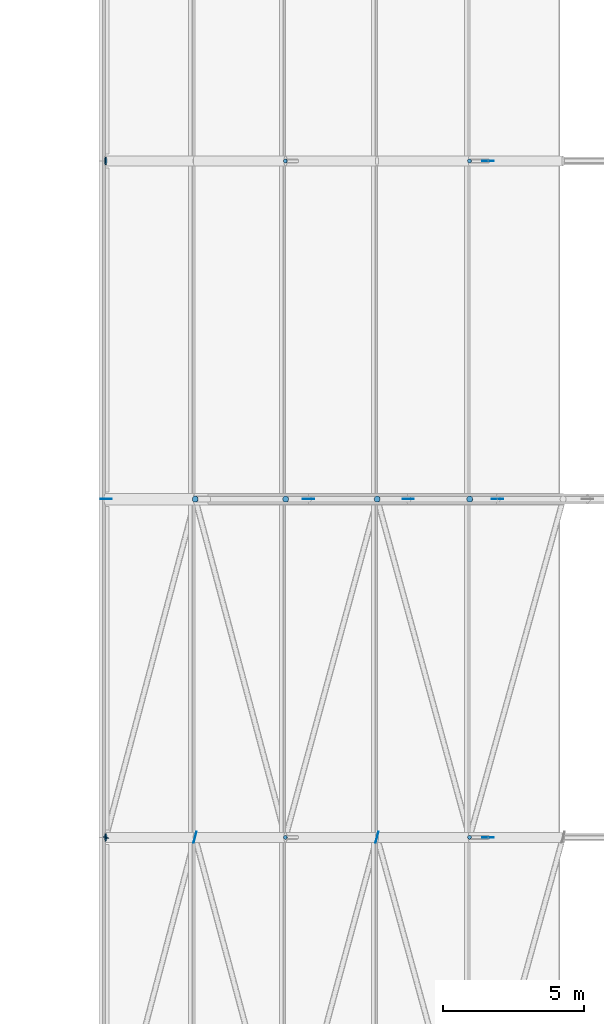
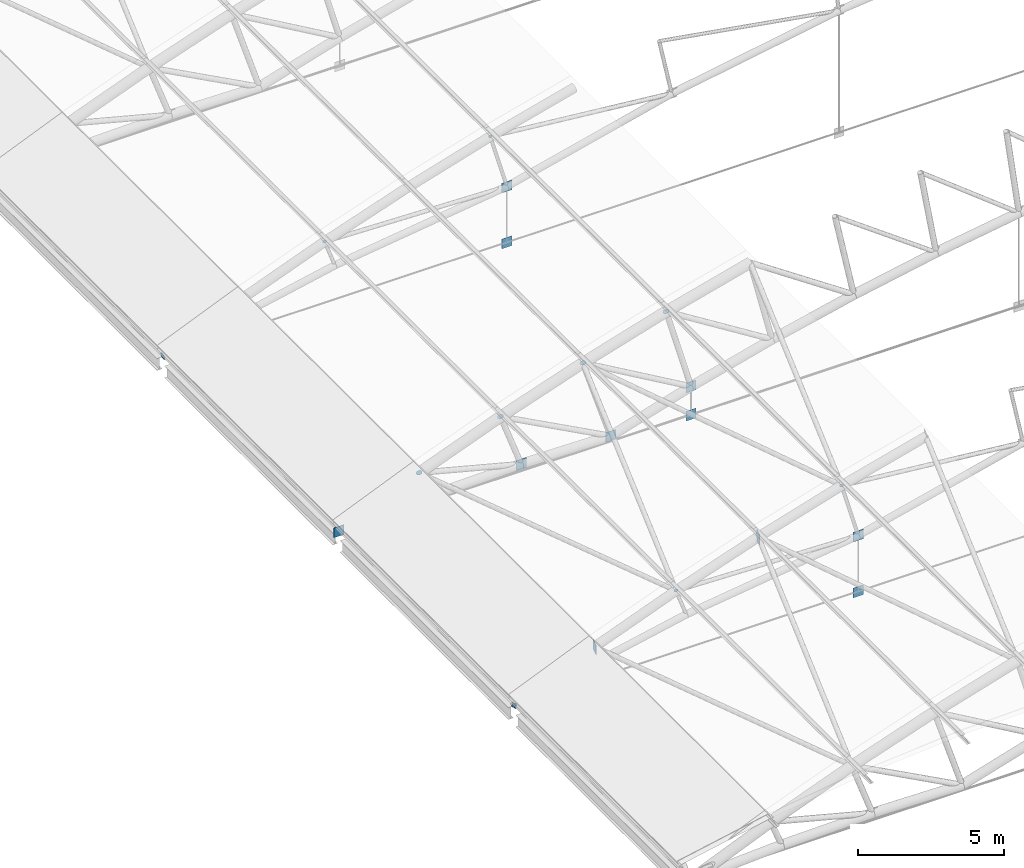
# One storey, part 274 of 321: 22 discrete accessories.
"""IFC4 building model written with IfcOpenShell, lengths in metres."""

from ifc_helpers import new_model, si_unit, direction, frame, origin, origin_2d, place, context, subcontext, project, spatial, rectangle, circle, extrude, material, material_profile, profile_set, type_object, element, save


model = new_model("IFC4")

# Units and contexts
model_context = context("Model", 3, precision=1e-05, world=origin(), true_north=direction((0.0, 1.0)))
body_context = subcontext(model_context, "Body", "Model", "MODEL_VIEW")
ifc_project = project(units=[si_unit("LENGTHUNIT", "METRE"), si_unit("AREAUNIT", "SQUARE_METRE"), si_unit("VOLUMEUNIT", "CUBIC_METRE"), si_unit("PLANEANGLEUNIT", "RADIAN"), si_unit("MASSUNIT", "GRAM", prefix="KILO")], contexts=[model_context])

# Site, building, storey
site_placement = place(None, origin())
site = spatial("IfcSite", under=ifc_project, at=site_placement, CompositionType="ELEMENT")
building_placement = place(site_placement, origin())
building = spatial("IfcBuilding", under=site, at=building_placement, Name="Ravi Spectrum Wholesale Market", CompositionType="ELEMENT")
storey_placement = place(building_placement, frame((0.0, 0.0, 10.800048828125)))
storey = spatial("IfcBuildingStorey", under=building, at=storey_placement, Name="L02", CompositionType="ELEMENT", Elevation=10.800048828125)

# Discrete accessories
ifc_material_1 = material(Name="Steel S355", Category="steel")
ifc_material_profile_1 = material_profile(ifc_material_1, circle(Radius=0.06982421875, at=origin_2d()))
ifc_profile_set_1 = profile_set([ifc_material_profile_1], Name="Steel S355")
discrete_accessory_type_1 = type_object("IfcDiscreteAccessoryType", Name="End plate CHS 139.7x5", PredefinedType="BRACKET", material=ifc_profile_set_1)
for number, where, z_axis, x_axis, name in (
    (1, (36.363037109375, 114.0, 2.56494140625), (-0.346650140872, 0.0, 0.937994498829), (0.0, -1.0, 0.0), "End plate"),
    (2, (42.896240234375, 114.0, 4.661376953125), (-0.266586054538, 0.0, 0.963811120254), (0.0, -1.0, 0.0), "End plate"),
    (3, (36.363037109375, 138.0, 2.56494140625), (-0.346650140872, 0.0, 0.937994498829), (0.0, -1.0, 0.0), "End plate"),
    (4, (42.896240234375, 138.0, 4.661376953125), (-0.266586054538, 0.0, 0.963811120254), (0.0, -1.0, 0.0), "End plate"),
):
    element("IfcDiscreteAccessory", number, at=place(storey_placement, frame(where, z_axis=z_axis, x_axis=x_axis)), inside=storey, type_object=discrete_accessory_type_1, Name=name, PredefinedType="BRACKET", context=body_context, shape_type="SweptSolid", body=[
        extrude(circle(Radius=0.06982421875, at=origin_2d()), origin(), (0.0, 0.0, 1.0), 0.011962890625),
    ])
ifc_material_2 = material(Name="Steel S355", Category="steel")
ifc_material_profile_2 = material_profile(ifc_material_2, circle(Radius=0.096923828125, at=origin_2d()))
ifc_profile_set_2 = profile_set([ifc_material_profile_2], Name="Steel S355")
discrete_accessory_type_2 = type_object("IfcDiscreteAccessoryType", Name="End plate CHS 193.7x6.3", PredefinedType="BRACKET", material=ifc_profile_set_2)
discrete_accessory_1_placement = place(storey_placement, frame((29.98974609375, 114.0, 0.023193359375), z_axis=(-0.246079434959, -0.963811120254, -0.102533097899), x_axis=(0.968917710624, -0.247383245266, 0.0)))
element("IfcDiscreteAccessory", 5, at=discrete_accessory_1_placement, inside=storey, type_object=discrete_accessory_type_2, Name="End plate", PredefinedType="BRACKET", context=body_context, shape_type="SweptSolid", body=[
    extrude(circle(Radius=0.096923828125, at=origin_2d()), origin(), (0.0, 0.0, 1.0), 0.011962890625),
])
ifc_material_3 = material(Name="Steel S355", Category="steel")
ifc_material_profile_3 = material_profile(ifc_material_3, circle(Radius=0.109619140625, at=origin_2d()))
ifc_profile_set_3 = profile_set([ifc_material_profile_3], Name="Steel S355")
discrete_accessory_type_3 = type_object("IfcDiscreteAccessoryType", Name="End plate CHS 219.1x8", PredefinedType="BRACKET", material=ifc_profile_set_3)
for number, where, z_axis, x_axis, name in (
    (6, (33.163818359375, 126.0, 1.325439453125), (-0.364399348581, 0.0, 0.931242779706), (0.0, -1.0, 0.0), "End plate"),
    (7, (36.37158203125, 126.0, 2.541015625), (-0.346650140872, 0.0, 0.937994498829), (0.0, -1.0, 0.0), "End plate"),
    (8, (39.619384765625, 126.0, 3.645263671875), (-0.304040173793, 0.0, 0.952659211219), (0.0, -1.0, 0.0), "End plate"),
):
    element("IfcDiscreteAccessory", number, at=place(storey_placement, frame(where, z_axis=z_axis, x_axis=x_axis)), inside=storey, type_object=discrete_accessory_type_3, Name=name, PredefinedType="BRACKET", context=body_context, shape_type="SweptSolid", body=[
        extrude(circle(Radius=0.109619140625, at=origin_2d()), origin(), (0.0, 0.0, 1.0), 0.011962890625),
    ])
discrete_accessory_2_placement = place(storey_placement, frame((42.903076171875, 126.0, 4.63671875), z_axis=(-0.261415475728, 0.0, 0.96522637192), x_axis=(0.0, -1.0, 0.0)))
element("IfcDiscreteAccessory", 9, at=discrete_accessory_2_placement, inside=storey, type_object=discrete_accessory_type_3, Name="End plate", PredefinedType="BRACKET", context=body_context, shape_type="SweptSolid", body=[
    extrude(circle(Radius=0.109619140625, at=origin_2d()), origin(), (0.0, 0.0, 1.0), 0.01220703125),
])
ifc_material_4 = material(Name="Steel S355", Category="steel")
ifc_material_profile_4 = material_profile(ifc_material_4, circle(Radius=0.136474609375, at=origin_2d()))
ifc_profile_set_4 = profile_set([ifc_material_profile_4], Name="Steel S355")
discrete_accessory_type_4 = type_object("IfcDiscreteAccessoryType", Name="End plate CHS 273x10", PredefinedType="BRACKET", material=ifc_profile_set_4)
for number, where, z_axis, x_axis, name in (
    (10, (29.98974609375, 114.0, 0.023193359375), (-0.978980419738, 0.0, -0.203954254112), (0.0, -1.0, 0.0), "End plate"),
    (11, (29.98974609375, 138.0, 0.023193359375), (-0.978980419738, 0.0, -0.203954254112), (0.0, -1.0, 0.0), "End plate"),
):
    element("IfcDiscreteAccessory", number, at=place(storey_placement, frame(where, z_axis=z_axis, x_axis=x_axis)), inside=storey, type_object=discrete_accessory_type_4, Name=name, PredefinedType="BRACKET", context=body_context, shape_type="SweptSolid", body=[
        extrude(circle(Radius=0.136474609375, at=origin_2d()), origin(), (0.0, 0.0, 1.0), 0.011962890625),
    ])
ifc_material_5 = material(Name="Steel S355", Category="steel")
ifc_material_profile_5 = material_profile(ifc_material_5, rectangle(XDim=0.39990234375, YDim=0.02001953125, at=origin_2d()))
ifc_profile_set_5 = profile_set([ifc_material_profile_5], Name="Steel S355")
discrete_accessory_type_5 = type_object("IfcDiscreteAccessoryType", Name="Gusset plate 400x400x20", PredefinedType="BRACKET", material=ifc_profile_set_5)
for number, where, z_axis, x_axis, name in (
    (12, (30.0, 126.0, -0.199951171875), (0.0, 0.0, 1.0), (1.0, 0.0, 0.0), "Gusset plate"),
    (13, (33.154541015625, 114.0, 1.149169921875), (0.0, 0.0, 1.0), (0.254234697305, 0.967142553446, 0.0), "Gusset plate"),
    (14, (37.18310546875, 126.0, 0.08251953125), (0.0, 0.0, 1.0), (1.0, 0.0, 0.0), "Gusset plate"),
    (15, (39.611572265625, 114.0, 3.469482421875), (0.0, 0.0, 1.0), (0.26066352772, 0.965429710189, 0.0), "Gusset plate"),
):
    element("IfcDiscreteAccessory", number, at=place(storey_placement, frame(where, z_axis=z_axis, x_axis=x_axis)), inside=storey, type_object=discrete_accessory_type_5, Name=name, PredefinedType="BRACKET", context=body_context, shape_type="SweptSolid", body=[
        extrude(rectangle(XDim=0.39990234375, YDim=0.02001953125, at=origin_2d()), origin(), (0.0, 0.0, 1.0), 0.39990234375),
    ])
discrete_accessory_3_placement = place(storey_placement, frame((40.71923828125, 126.0, 0.017333984375), z_axis=(0.0, 0.0, 1.0), x_axis=(1.0, 0.0, 0.0)))
element("IfcDiscreteAccessory", 16, at=discrete_accessory_3_placement, inside=storey, type_object=discrete_accessory_type_5, Name="Gusset plate", PredefinedType="BRACKET", context=body_context, shape_type="SweptSolid", body=[
    extrude(rectangle(XDim=0.39990234375, YDim=0.02001953125, at=origin_2d()), origin(), (0.0, 0.0, 1.0), 0.400146484375),
])
for number, where, z_axis, x_axis, name in (
    (17, (43.55029296875, 114.0, -0.1767578125), (0.0, 0.0, 1.0), (1.0, 0.0, 0.0), "Gusset plate"),
    (18, (43.55029296875, 114.0, 2.152099609375), (0.0, 0.0, 1.0), (1.0, 0.0, 0.0), "Gusset plate"),
    (19, (43.55029296875, 138.0, -0.1767578125), (0.0, 0.0, 1.0), (1.0, 0.0, 0.0), "Gusset plate"),
    (20, (43.55029296875, 138.0, 2.152099609375), (0.0, 0.0, 1.0), (1.0, 0.0, 0.0), "Gusset plate"),
    (21, (43.88427734375, 126.0, -0.199951171875), (0.0, 0.0, 1.0), (1.0, 0.0, 0.0), "Gusset plate"),
    (22, (43.88427734375, 126.0, 0.97314453125), (0.0, 0.0, 1.0), (1.0, 0.0, 0.0), "Gusset plate"),
):
    element("IfcDiscreteAccessory", number, at=place(storey_placement, frame(where, z_axis=z_axis, x_axis=x_axis)), inside=storey, type_object=discrete_accessory_type_5, Name=name, PredefinedType="BRACKET", context=body_context, shape_type="SweptSolid", body=[
        extrude(rectangle(XDim=0.39990234375, YDim=0.02001953125, at=origin_2d()), origin(), (0.0, 0.0, 1.0), 0.39990234375),
    ])

save(model, "model.ifc")
